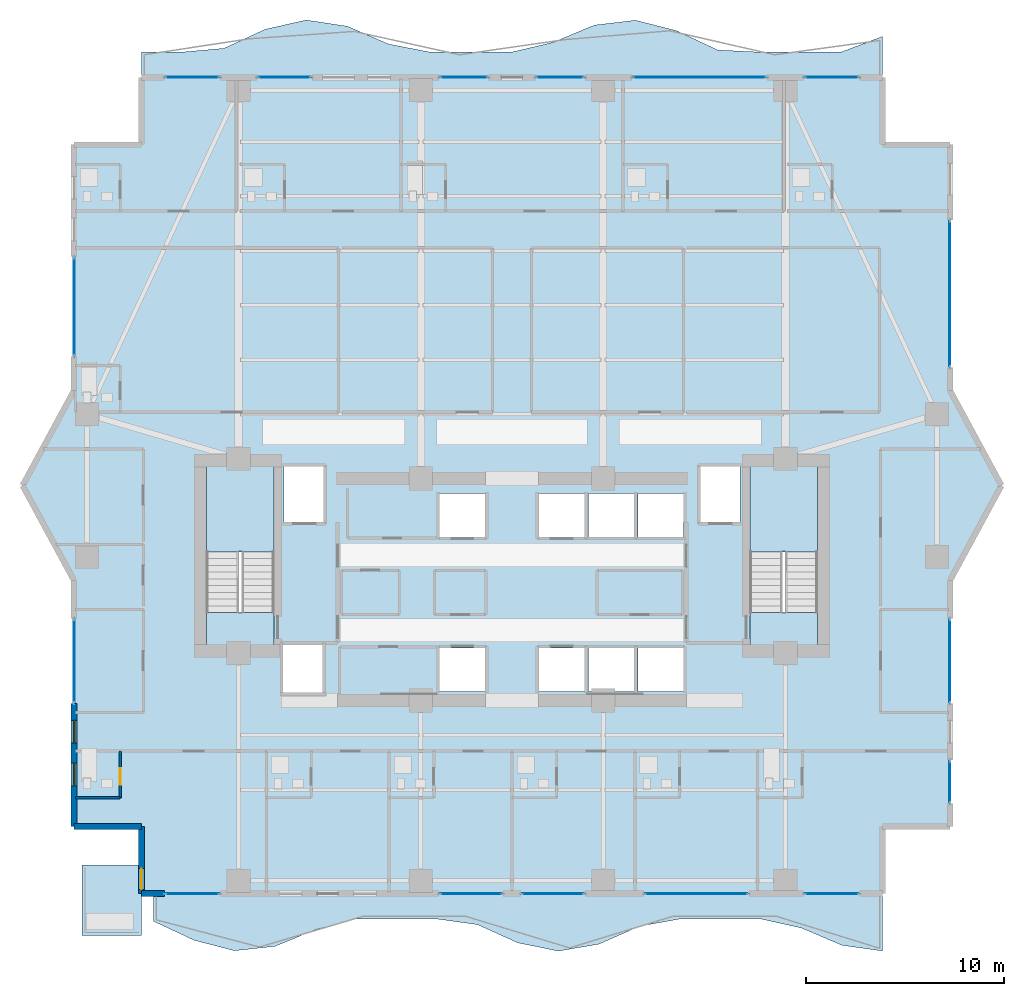
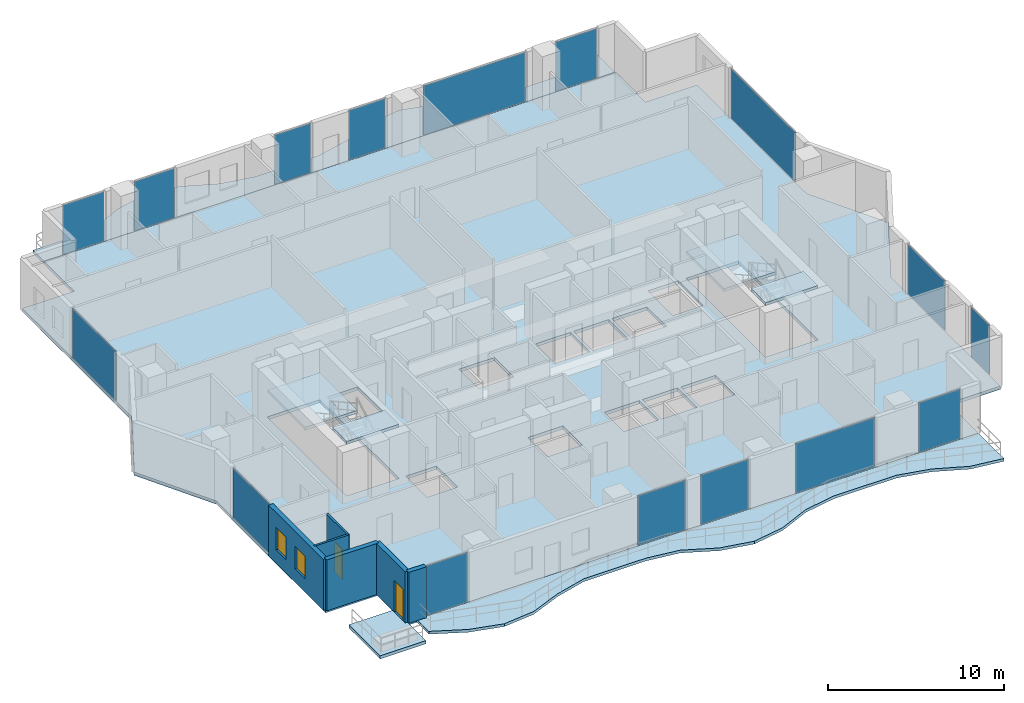
# One storey, part 23 of 32: 16 plates, 8 slabs, 6 walls, 2 doors, 2 windows, 4 openings, 18 elements without a shape of their own.
"""IFC4 building model written with IfcOpenShell, lengths in metres."""

from ifc_helpers import new_model, si_unit, direction, frame, frame_2d, origin, origin_2d, place, context, subcontext, project, spatial, polyline, rectangle, outline, extrude, material, layer, layer_set, type_object, element, fill, aggregate, save


model = new_model("IFC4")

# Units and contexts
model_context = context("Model", 3, precision=1e-05, world=origin(), true_north=direction((0.0, 1.0)))
body_context = subcontext(model_context, "Body", "Model", "MODEL_VIEW")
ifc_project = project(units=[si_unit("LENGTHUNIT", "METRE"), si_unit("AREAUNIT", "SQUARE_METRE"), si_unit("VOLUMEUNIT", "CUBIC_METRE"), si_unit("PLANEANGLEUNIT", "RADIAN"), si_unit("MASSUNIT", "GRAM", prefix="KILO")], contexts=[model_context])

# Site, building, storey
site_placement = place(None, origin())
site = spatial("IfcSite", under=ifc_project, at=site_placement, CompositionType="ELEMENT")
building_placement = place(site_placement, origin())
building = spatial("IfcBuilding", under=site, at=building_placement, Name="Zuhayl Quay Hotel", CompositionType="ELEMENT")
storey_placement = place(building_placement, frame((0.0, 0.0, 196.14990234375)))
storey = spatial("IfcBuildingStorey", under=building, at=storey_placement, Name="L49", CompositionType="ELEMENT", Elevation=196.14990234375)

# Curtain wall, plate
ifc_material_1 = material(Name="Anodised Aluminium 6063-T6", Category="aluminium")
ifc_layer_1 = layer(ifc_material_1, 0.175048828125, Name="Anodised Aluminium 6063-T6", Category="aluminium")
ifc_layer_set_1 = layer_set([ifc_layer_1], Name="Anodised Aluminium 6063-T6")
curtain_wall_type = type_object("IfcCurtainWallType", Name="CW_SYS_Z3", PredefinedType="USERDEFINED", material=ifc_layer_set_1)
curtain_wall_1_placement = place(storey_placement, origin())
curtain_wall_1 = element("IfcCurtainWall", 1, at=curtain_wall_1_placement, inside=storey, type_object=curtain_wall_type, Name="L49 Curtain Wall ENV_L49_E02_CW1", ObjectType="UNITISED CURTAIN WALL", PredefinedType="USERDEFINED")
ifc_material_2 = material(Name="Dark Ceramic-Fritted Solar Glass", Category="glass")
ifc_layer_2 = layer(ifc_material_2, 0.0400390625, Name="Dark Ceramic-Fritted Solar Glass", Category="glass")
ifc_layer_set_2 = layer_set([ifc_layer_2], Name="Dark Ceramic-Fritted Solar Glass")
plate_type = type_object("IfcPlateType", Name="PN_OP_VENT_Z3", PredefinedType="CURTAIN_PANEL", material=ifc_layer_set_2)
plate_1_placement = place(storey_placement, frame((-22.10009765625, 4.14990234375, 0.05517578125), z_axis=(0.0, 0.0, 1.0), x_axis=(0.0, 1.0, 0.0)))
plate_1 = element("IfcPlate", 2, at=plate_1_placement, type_object=plate_type, Name="CW-Z3 panel 1.1", PredefinedType="CURTAIN_PANEL", context=body_context, shape_type="SweptSolid", body=[
    extrude(rectangle(XDim=4.169921875, YDim=0.0400390625, at=origin_2d()), origin(), (0.0, 0.0, 1.0), 3.419921875),
])
aggregate(curtain_wall_1, [plate_1])

curtain_wall_2_placement = place(storey_placement, origin())
curtain_wall_2 = element("IfcCurtainWall", 3, at=curtain_wall_2_placement, inside=storey, type_object=curtain_wall_type, Name="L49 Curtain Wall ENV_L49_E05_CW1", ObjectType="UNITISED CURTAIN WALL", PredefinedType="USERDEFINED")
plate_2_placement = place(storey_placement, frame((-22.10009765625, 22.030029296875, 0.05517578125), z_axis=(0.0, 0.0, 1.0), x_axis=(0.0, 1.0, 0.0)))
plate_2 = element("IfcPlate", 4, at=plate_2_placement, type_object=plate_type, Name="CW-Z3 panel 1.1", PredefinedType="CURTAIN_PANEL", context=body_context, shape_type="SweptSolid", body=[
    extrude(rectangle(XDim=4.909912109375, YDim=0.0400390625, at=origin_2d()), origin(), (0.0, 0.0, 1.0), 3.419921875),
])
aggregate(curtain_wall_2, [plate_2])

curtain_wall_3_placement = place(storey_placement, origin())
curtain_wall_3 = element("IfcCurtainWall", 5, at=curtain_wall_3_placement, inside=storey, type_object=curtain_wall_type, Name="L49 Curtain Wall ENV_L49_N_CW1", ObjectType="UNITISED CURTAIN WALL", PredefinedType="USERDEFINED")
plate_3_placement = place(storey_placement, frame((-16.135009765625, 33.60009765625, 0.05517578125), z_axis=(0.0, 0.0, 1.0), x_axis=(1.0, 0.0, 0.0)))
plate_3 = element("IfcPlate", 6, at=plate_3_placement, type_object=plate_type, Name="CW-Z3 panel 1.1", PredefinedType="CURTAIN_PANEL", context=body_context, shape_type="SweptSolid", body=[
    extrude(rectangle(XDim=2.699951171875, YDim=0.0400390625, at=origin_2d()), origin(), (0.0, 0.0, 1.0), 3.419921875),
])
aggregate(curtain_wall_3, [plate_3])

curtain_wall_4_placement = place(storey_placement, origin())
curtain_wall_4 = element("IfcCurtainWall", 7, at=curtain_wall_4_placement, inside=storey, type_object=curtain_wall_type, Name="L49 Curtain Wall ENV_L49_N_CW2", ObjectType="UNITISED CURTAIN WALL", PredefinedType="USERDEFINED")
plate_4_placement = place(storey_placement, frame((-11.491943359375, 33.60009765625, 0.05517578125), z_axis=(0.0, 0.0, 1.0), x_axis=(1.0, 0.0, 0.0)))
plate_4 = element("IfcPlate", 8, at=plate_4_placement, type_object=plate_type, Name="CW-Z3 panel 1.1", PredefinedType="CURTAIN_PANEL", context=body_context, shape_type="SweptSolid", body=[
    extrude(rectangle(XDim=2.64599609375, YDim=0.0400390625, at=origin_2d()), origin(), (0.0, 0.0, 1.0), 3.419921875),
])
aggregate(curtain_wall_4, [plate_4])

curtain_wall_5_placement = place(storey_placement, origin())
curtain_wall_5 = element("IfcCurtainWall", 9, at=curtain_wall_5_placement, inside=storey, type_object=curtain_wall_type, Name="L49 Curtain Wall ENV_L49_N_CW3", ObjectType="UNITISED CURTAIN WALL", PredefinedType="USERDEFINED")
plate_5_placement = place(storey_placement, frame((-2.427490234375, 33.60009765625, 0.05517578125), z_axis=(0.0, 0.0, 1.0), x_axis=(1.0, 0.0, 0.0)))
plate_5 = element("IfcPlate", 10, at=plate_5_placement, type_object=plate_type, Name="CW-Z3 panel 1.1", PredefinedType="CURTAIN_PANEL", context=body_context, shape_type="SweptSolid", body=[
    extrude(rectangle(XDim=2.375, YDim=0.0400390625, at=origin_2d()), origin(), (0.0, 0.0, 1.0), 3.419921875),
])
aggregate(curtain_wall_5, [plate_5])

curtain_wall_6_placement = place(storey_placement, origin())
curtain_wall_6 = element("IfcCurtainWall", 11, at=curtain_wall_6_placement, inside=storey, type_object=curtain_wall_type, Name="L49 Curtain Wall ENV_L49_N_CW4", ObjectType="UNITISED CURTAIN WALL", PredefinedType="USERDEFINED")
plate_6_placement = place(storey_placement, frame((2.427490234375, 33.60009765625, 0.05517578125), z_axis=(0.0, 0.0, 1.0), x_axis=(1.0, 0.0, 0.0)))
plate_6 = element("IfcPlate", 12, at=plate_6_placement, type_object=plate_type, Name="CW-Z3 panel 1.1", PredefinedType="CURTAIN_PANEL", context=body_context, shape_type="SweptSolid", body=[
    extrude(rectangle(XDim=2.375, YDim=0.0400390625, at=origin_2d()), origin(), (0.0, 0.0, 1.0), 3.419921875),
])
aggregate(curtain_wall_6, [plate_6])

curtain_wall_7_placement = place(storey_placement, origin())
curtain_wall_7 = element("IfcCurtainWall", 13, at=curtain_wall_7_placement, inside=storey, type_object=curtain_wall_type, Name="L49 Curtain Wall ENV_L49_N_CW5", ObjectType="UNITISED CURTAIN WALL", PredefinedType="USERDEFINED")
plate_7_placement = place(storey_placement, frame((9.465087890625, 33.60009765625, 0.05517578125), z_axis=(0.0, 0.0, 1.0), x_axis=(1.0, 0.0, 0.0)))
plate_7 = element("IfcPlate", 14, at=plate_7_placement, type_object=plate_type, Name="CW-Z3 panel 1.1", PredefinedType="CURTAIN_PANEL", context=body_context, shape_type="SweptSolid", body=[
    extrude(rectangle(XDim=6.699951171875, YDim=0.0400390625, at=origin_2d()), origin(), (0.0, 0.0, 1.0), 3.419921875),
])
aggregate(curtain_wall_7, [plate_7])

curtain_wall_8_placement = place(storey_placement, origin())
curtain_wall_8 = element("IfcCurtainWall", 15, at=curtain_wall_8_placement, inside=storey, type_object=curtain_wall_type, Name="L49 Curtain Wall ENV_L49_N_CW6", ObjectType="UNITISED CURTAIN WALL", PredefinedType="USERDEFINED")
plate_8_placement = place(storey_placement, frame((16.135009765625, 33.60009765625, 0.05517578125), z_axis=(0.0, 0.0, 1.0), x_axis=(1.0, 0.0, 0.0)))
plate_8 = element("IfcPlate", 16, at=plate_8_placement, type_object=plate_type, Name="CW-Z3 panel 1.1", PredefinedType="CURTAIN_PANEL", context=body_context, shape_type="SweptSolid", body=[
    extrude(rectangle(XDim=2.699951171875, YDim=0.0400390625, at=origin_2d()), origin(), (0.0, 0.0, 1.0), 3.419921875),
])
aggregate(curtain_wall_8, [plate_8])

curtain_wall_9_placement = place(storey_placement, origin())
curtain_wall_9 = element("IfcCurtainWall", 17, at=curtain_wall_9_placement, inside=storey, type_object=curtain_wall_type, Name="L49 Curtain Wall ENV_L49_E11_CW1", ObjectType="UNITISED CURTAIN WALL", PredefinedType="USERDEFINED")
plate_9_placement = place(storey_placement, frame((22.10009765625, 22.675048828125, 0.05517578125), z_axis=(0.0, 0.0, 1.0), x_axis=(0.0, -1.0, 0.0)))
plate_9 = element("IfcPlate", 18, at=plate_9_placement, type_object=plate_type, Name="CW-Z3 panel 1.1", PredefinedType="CURTAIN_PANEL", context=body_context, shape_type="SweptSolid", body=[
    extrude(rectangle(XDim=7.320068359375, YDim=0.0400390625, at=origin_2d()), origin(), (0.0, 0.0, 1.0), 3.419921875),
])
aggregate(curtain_wall_9, [plate_9])

curtain_wall_10_placement = place(storey_placement, origin())
curtain_wall_10 = element("IfcCurtainWall", 19, at=curtain_wall_10_placement, inside=storey, type_object=curtain_wall_type, Name="L49 Curtain Wall ENV_L49_E14_CW1", ObjectType="UNITISED CURTAIN WALL", PredefinedType="USERDEFINED")
plate_10_placement = place(storey_placement, frame((22.10009765625, 4.14990234375, 0.05517578125), z_axis=(0.0, 0.0, 1.0), x_axis=(0.0, -1.0, 0.0)))
plate_10 = element("IfcPlate", 20, at=plate_10_placement, type_object=plate_type, Name="CW-Z3 panel 1.1", PredefinedType="CURTAIN_PANEL", context=body_context, shape_type="SweptSolid", body=[
    extrude(rectangle(XDim=4.169921875, YDim=0.0400390625, at=origin_2d()), origin(), (0.0, 0.0, 1.0), 3.419921875),
])
aggregate(curtain_wall_10, [plate_10])

curtain_wall_11_placement = place(storey_placement, origin())
curtain_wall_11 = element("IfcCurtainWall", 21, at=curtain_wall_11_placement, inside=storey, type_object=curtain_wall_type, Name="L49 Curtain Wall ENV_L49_E14_CW2", ObjectType="UNITISED CURTAIN WALL", PredefinedType="USERDEFINED")
plate_11_placement = place(storey_placement, frame((22.10009765625, -1.949951171875, 0.05517578125), z_axis=(0.0, 0.0, 1.0), x_axis=(0.0, -1.0, 0.0)))
plate_11 = element("IfcPlate", 22, at=plate_11_placement, type_object=plate_type, Name="CW-Z3 panel 1.1", PredefinedType="CURTAIN_PANEL", context=body_context, shape_type="SweptSolid", body=[
    extrude(rectangle(XDim=2.070068359375, YDim=0.0400390625, at=origin_2d()), origin(), (0.0, 0.0, 1.0), 3.419921875),
])
aggregate(curtain_wall_11, [plate_11])

curtain_wall_12_placement = place(storey_placement, origin())
curtain_wall_12 = element("IfcCurtainWall", 23, at=curtain_wall_12_placement, inside=storey, type_object=curtain_wall_type, Name="L49 Curtain Wall ENV_L49_S_CW1", ObjectType="UNITISED CURTAIN WALL", PredefinedType="USERDEFINED")
plate_12_placement = place(storey_placement, frame((16.135009765625, -7.60009765625, 0.05517578125), z_axis=(0.0, 0.0, 1.0), x_axis=(-1.0, 0.0, 0.0)))
plate_12 = element("IfcPlate", 24, at=plate_12_placement, type_object=plate_type, Name="CW-Z3 panel 1.1", PredefinedType="CURTAIN_PANEL", context=body_context, shape_type="SweptSolid", body=[
    extrude(rectangle(XDim=2.699951171875, YDim=0.0400390625, at=origin_2d()), origin(), (0.0, 0.0, 1.0), 3.419921875),
])
aggregate(curtain_wall_12, [plate_12])

curtain_wall_13_placement = place(storey_placement, origin())
curtain_wall_13 = element("IfcCurtainWall", 25, at=curtain_wall_13_placement, inside=storey, type_object=curtain_wall_type, Name="L49 Curtain Wall ENV_L49_S_CW2", ObjectType="UNITISED CURTAIN WALL", PredefinedType="USERDEFINED")
plate_13_placement = place(storey_placement, frame((9.300048828125, -7.60009765625, 0.05517578125), z_axis=(0.0, 0.0, 1.0), x_axis=(-1.0, 0.0, 0.0)))
plate_13 = element("IfcPlate", 26, at=plate_13_placement, type_object=plate_type, Name="CW-Z3 panel 1.1", PredefinedType="CURTAIN_PANEL", context=body_context, shape_type="SweptSolid", body=[
    extrude(rectangle(XDim=5.169921875, YDim=0.0400390625, at=origin_2d()), origin(), (0.0, 0.0, 1.0), 3.419921875),
])
aggregate(curtain_wall_13, [plate_13])

curtain_wall_14_placement = place(storey_placement, origin())
curtain_wall_14 = element("IfcCurtainWall", 27, at=curtain_wall_14_placement, inside=storey, type_object=curtain_wall_type, Name="L49 Curtain Wall ENV_L49_S_CW3", ObjectType="UNITISED CURTAIN WALL", PredefinedType="USERDEFINED")
plate_14_placement = place(storey_placement, frame((2.06494140625, -7.60009765625, 0.05517578125), z_axis=(0.0, 0.0, 1.0), x_axis=(-1.0, 0.0, 0.0)))
plate_14 = element("IfcPlate", 28, at=plate_14_placement, type_object=plate_type, Name="CW-Z3 panel 1.1", PredefinedType="CURTAIN_PANEL", context=body_context, shape_type="SweptSolid", body=[
    extrude(rectangle(XDim=3.10009765625, YDim=0.0400390625, at=origin_2d()), origin(), (0.0, 0.0, 1.0), 3.419921875),
])
aggregate(curtain_wall_14, [plate_14])

curtain_wall_15_placement = place(storey_placement, origin())
curtain_wall_15 = element("IfcCurtainWall", 29, at=curtain_wall_15_placement, inside=storey, type_object=curtain_wall_type, Name="L49 Curtain Wall ENV_L49_S_CW4", ObjectType="UNITISED CURTAIN WALL", PredefinedType="USERDEFINED")
plate_15_placement = place(storey_placement, frame((-2.06494140625, -7.60009765625, 0.05517578125), z_axis=(0.0, 0.0, 1.0), x_axis=(-1.0, 0.0, 0.0)))
plate_15 = element("IfcPlate", 30, at=plate_15_placement, type_object=plate_type, Name="CW-Z3 panel 1.1", PredefinedType="CURTAIN_PANEL", context=body_context, shape_type="SweptSolid", body=[
    extrude(rectangle(XDim=3.10009765625, YDim=0.0400390625, at=origin_2d()), origin(), (0.0, 0.0, 1.0), 3.419921875),
])
aggregate(curtain_wall_15, [plate_15])

curtain_wall_16_placement = place(storey_placement, origin())
curtain_wall_16 = element("IfcCurtainWall", 31, at=curtain_wall_16_placement, inside=storey, type_object=curtain_wall_type, Name="L49 Curtain Wall ENV_L49_S_CW5", ObjectType="UNITISED CURTAIN WALL", PredefinedType="USERDEFINED")
plate_16_placement = place(storey_placement, frame((-16.135009765625, -7.60009765625, 0.05517578125), z_axis=(0.0, 0.0, 1.0), x_axis=(-1.0, 0.0, 0.0)))
plate_16 = element("IfcPlate", 32, at=plate_16_placement, type_object=plate_type, Name="CW-Z3 panel 1.1", PredefinedType="CURTAIN_PANEL", context=body_context, shape_type="SweptSolid", body=[
    extrude(rectangle(XDim=2.699951171875, YDim=0.0400390625, at=origin_2d()), origin(), (0.0, 0.0, 1.0), 3.419921875),
])
aggregate(curtain_wall_16, [plate_16])

# Slabs
ifc_material_3 = material(Name="Concrete C45/55", Category="concrete")
ifc_layer_3 = layer(ifc_material_3, 0.195068359375, Name="Concrete C45/55", Category="concrete")
ifc_layer_set_3 = layer_set([ifc_layer_3], Name="Concrete C45/55")
slab_type_1 = type_object("IfcSlabType", Name="SL_BALCONY_195", PredefinedType="FLOOR", material=ifc_layer_set_3)
slab_1_placement = place(storey_placement, frame((0.0, 0.0, -0.19482421875)))
element("IfcSlab", 33, at=slab_1_placement, inside=storey, type_object=slab_type_1, Name="L49 Exterior Rippling Balcony Slab North", PredefinedType="FLOOR", context=body_context, shape_type="SweptSolid", body=[
    extrude(outline(polyline([(-18.699951171875, 33.60009765625), (18.699951171875, 33.60009765625), (18.699951171875, 35.667236328125), (16.622314453125, 34.8798828125), (14.54443359375, 34.8798828125), (12.466796875, 34.8798828125), (10.388916015625, 34.9794921875), (8.31103515625, 35.95361328125), (6.2333984375, 36.484619140625), (4.155517578125, 36.23828125), (2.077880859375, 35.369873046875), (0.0, 34.8798828125), (-2.077880859375, 34.8798828125), (-4.155517578125, 34.8798828125), (-6.2333984375, 35.28271484375), (-8.31103515625, 36.1826171875), (-10.388916015625, 36.4951171875), (-12.466796875, 36.02392578125), (-14.54443359375, 35.065185546875), (-16.622314453125, 34.8798828125), (-18.699951171875, 34.8798828125), (-18.699951171875, 33.60009765625)])), origin(), (0.0, 0.0, 1.0), 0.19482421875),
])
slab_2_placement = place(storey_placement, frame((0.0, 0.0, -0.19482421875)))
element("IfcSlab", 34, at=slab_2_placement, inside=storey, type_object=slab_type_1, Name="L49 Exterior Rippling Balcony Slab South", PredefinedType="FLOOR", context=body_context, shape_type="SweptSolid", body=[
    extrude(outline(polyline([(-18.10009765625, -8.989990234375), (-16.0556640625, -9.948974609375), (-14.010986328125, -10.48095703125), (-11.966796875, -10.26123046875), (-9.922119140625, -9.424072265625), (-7.877685546875, -8.8798828125), (-5.833251953125, -8.8798828125), (-3.788818359375, -8.8798828125), (-1.744384765625, -9.162841796875), (0.300048828125, -10.08642578125), (2.344482421875, -10.499267578125), (4.388916015625, -10.149169921875), (6.433349609375, -9.25), (8.477783203125, -8.8798828125), (10.522216796875, -8.8798828125), (12.566650390625, -8.8798828125), (14.611083984375, -9.337158203125), (16.655517578125, -10.20751953125), (18.699951171875, -10.4931640625), (18.699951171875, -7.60009765625), (-18.10009765625, -7.60009765625), (-18.10009765625, -8.989990234375)])), origin(), (0.0, 0.0, 1.0), 0.19482421875),
])
ifc_layer_4 = layer(ifc_material_3, 0.219970703125, Name="Concrete C45/55", Category="concrete")
ifc_layer_set_4 = layer_set([ifc_layer_4], Name="Concrete C45/55")
slab_type_2 = type_object("IfcSlabType", Name="SL_FLOOR_220", PredefinedType="FLOOR", material=ifc_layer_set_4)
slab_3_placement = place(storey_placement, frame((0.0, 0.0, -0.219970703125)))
element("IfcSlab", 35, at=slab_3_placement, inside=storey, type_object=slab_type_2, Name="L49 Structural Floor Slab", PredefinedType="FLOOR", context=body_context, shape_type="SweptSolid", body=[
    extrude(outline(polyline([(-18.699951171875, -7.60009765625), (18.699951171875, -7.60009765625), (18.699951171875, -4.199951171875), (22.10009765625, -4.199951171875), (22.10009765625, 8.199951171875), (24.699951171875, 13.0), (22.10009765625, 17.800048828125), (22.10009765625, 30.199951171875), (18.699951171875, 30.199951171875), (18.699951171875, 33.60009765625), (-18.699951171875, 33.60009765625), (-18.699951171875, 30.199951171875), (-22.10009765625, 30.199951171875), (-22.10009765625, 17.800048828125), (-24.699951171875, 13.0), (-22.10009765625, 8.199951171875), (-22.10009765625, -4.199951171875), (-18.699951171875, -4.199951171875), (-18.699951171875, -7.60009765625)]), holes=[polyline([(-12.0, 4.949951171875), (-12.0, 13.949951171875), (-15.429931640625, 13.949951171875), (-15.429931640625, 4.949951171875), (-12.0, 4.949951171875)]), polyline([(15.429931640625, 4.949951171875), (15.429931640625, 13.949951171875), (12.0, 13.949951171875), (12.0, 4.949951171875), (15.429931640625, 4.949951171875)]), polyline([(-11.5, 11.14990234375), (-9.5, 11.14990234375), (-9.5, 13.949951171875), (-11.5, 13.949951171875), (-11.5, 11.14990234375)]), polyline([(9.5, 11.14990234375), (11.5, 11.14990234375), (11.5, 13.949951171875), (9.5, 13.949951171875), (9.5, 11.14990234375)]), polyline([(-3.64990234375, 2.60009765625), (-1.35009765625, 2.60009765625), (-1.35009765625, 4.800048828125), (-3.64990234375, 4.800048828125), (-3.64990234375, 2.60009765625)]), polyline([(1.35009765625, 2.60009765625), (3.64990234375, 2.60009765625), (3.64990234375, 4.800048828125), (1.35009765625, 4.800048828125), (1.35009765625, 2.60009765625)]), polyline([(-3.64990234375, 10.39990234375), (-1.35009765625, 10.39990234375), (-1.35009765625, 12.60009765625), (-3.64990234375, 12.60009765625), (-3.64990234375, 10.39990234375)]), polyline([(1.35009765625, 10.39990234375), (3.64990234375, 10.39990234375), (3.64990234375, 12.60009765625), (1.35009765625, 12.60009765625), (1.35009765625, 10.39990234375)]), polyline([(3.85009765625, 2.60009765625), (6.14990234375, 2.60009765625), (6.14990234375, 4.800048828125), (3.85009765625, 4.800048828125), (3.85009765625, 2.60009765625)]), polyline([(6.35009765625, 2.60009765625), (8.64990234375, 2.60009765625), (8.64990234375, 4.800048828125), (6.35009765625, 4.800048828125), (6.35009765625, 2.60009765625)]), polyline([(3.85009765625, 10.39990234375), (6.14990234375, 10.39990234375), (6.14990234375, 12.60009765625), (3.85009765625, 12.60009765625), (3.85009765625, 10.39990234375)]), polyline([(6.35009765625, 10.39990234375), (8.64990234375, 10.39990234375), (8.64990234375, 12.60009765625), (6.35009765625, 12.60009765625), (6.35009765625, 10.39990234375)]), polyline([(-11.550048828125, 2.550048828125), (-9.550048828125, 2.550048828125), (-9.550048828125, 4.949951171875), (-11.550048828125, 4.949951171875), (-11.550048828125, 2.550048828125)])]), origin(), (0.0, 0.0, 1.0), 0.219970703125),
])

# Stair, slabs
stair_type = type_object("IfcStairType", Name="ST_DOGLEG_TOWER", PredefinedType="HALF_TURN_STAIR", material=ifc_material_3)
stair_1_placement = place(storey_placement, origin())
stair_1 = element("IfcStair", 36, at=stair_1_placement, inside=storey, type_object=stair_type, Name="L49 Smokeproof Exit Stair ST1", PredefinedType="HALF_TURN_STAIR")
ifc_layer_5 = layer(ifc_material_3, 0.199951171875, Name="Concrete C45/55", Category="concrete")
ifc_layer_set_5 = layer_set([ifc_layer_5], Name="Concrete C45/55")
slab_type_3 = type_object("IfcSlabType", Name="SL_STAIR_LANDING_200", PredefinedType="LANDING", material=ifc_layer_set_5)
slab_4_placement = place(storey_placement, frame((0.0, 0.0, 1.675048828125)))
slab_4 = element("IfcSlab", 37, at=slab_4_placement, type_object=slab_type_3, Name="ST1 landing 1", PredefinedType="LANDING", context=body_context, shape_type="SweptSolid", body=[
    extrude(outline(polyline([(-12.0, 9.64990234375), (-12.0, 13.949951171875), (-15.429931640625, 13.949951171875), (-15.429931640625, 9.64990234375), (-12.0, 9.64990234375)])), origin(), (0.0, 0.0, 1.0), 0.199951171875),
])
slab_5_placement = place(storey_placement, frame((0.0, 0.0, 3.550048828125)))
slab_5 = element("IfcSlab", 38, at=slab_5_placement, type_object=slab_type_3, Name="ST1 landing 2", PredefinedType="LANDING", context=body_context, shape_type="SweptSolid", body=[
    extrude(outline(polyline([(-12.0, 4.949951171875), (-12.0, 6.590087890625), (-15.429931640625, 6.590087890625), (-15.429931640625, 4.949951171875), (-12.0, 4.949951171875)])), origin(), (0.0, 0.0, 1.0), 0.199951171875),
])
aggregate(stair_1, [slab_4, slab_5])

stair_2_placement = place(storey_placement, origin())
stair_2 = element("IfcStair", 39, at=stair_2_placement, inside=storey, type_object=stair_type, Name="L49 Smokeproof Exit Stair ST2", PredefinedType="HALF_TURN_STAIR")
slab_6_placement = place(storey_placement, frame((0.0, 0.0, 1.675048828125)))
slab_6 = element("IfcSlab", 40, at=slab_6_placement, type_object=slab_type_3, Name="ST2 landing 1", PredefinedType="LANDING", context=body_context, shape_type="SweptSolid", body=[
    extrude(outline(polyline([(15.429931640625, 9.64990234375), (15.429931640625, 13.949951171875), (12.0, 13.949951171875), (12.0, 9.64990234375), (15.429931640625, 9.64990234375)])), origin(), (0.0, 0.0, 1.0), 0.199951171875),
])
slab_7_placement = place(storey_placement, frame((0.0, 0.0, 3.550048828125)))
slab_7 = element("IfcSlab", 41, at=slab_7_placement, type_object=slab_type_3, Name="ST2 landing 2", PredefinedType="LANDING", context=body_context, shape_type="SweptSolid", body=[
    extrude(outline(polyline([(15.429931640625, 4.949951171875), (15.429931640625, 6.590087890625), (12.0, 6.590087890625), (12.0, 4.949951171875), (15.429931640625, 4.949951171875)])), origin(), (0.0, 0.0, 1.0), 0.199951171875),
])
aggregate(stair_2, [slab_6, slab_7])

# Slab
ifc_layer_6 = layer(ifc_material_3, 0.219970703125, Name="Concrete C45/55", Category="concrete")
ifc_layer_set_6 = layer_set([ifc_layer_6], Name="Concrete C45/55")
slab_type_4 = type_object("IfcSlabType", Name="SL_TERRACE_235", PredefinedType="FLOOR", material=ifc_layer_set_6)
slab_8_placement = place(storey_placement, frame((0.0, 0.0, -0.219970703125)))
element("IfcSlab", 42, at=slab_8_placement, inside=storey, type_object=slab_type_4, Name="L49 Exterior Sky-Terrace Slab L49_SPIRAL_SW", PredefinedType="FLOOR", context=body_context, shape_type="SweptSolid", body=[
    extrude(outline(polyline([(-21.699951171875, -9.699951171875), (-18.699951171875, -9.699951171875), (-18.699951171875, -6.14990234375), (-21.699951171875, -6.14990234375), (-21.699951171875, -9.699951171875)])), origin(), (0.0, 0.0, 1.0), 0.219970703125),
])

# Wall
ifc_material_4 = material(Name="Precast concrete C45/55", Category="concrete")
ifc_layer_7 = layer(ifc_material_4, 0.300048828125, Name="Precast concrete C45/55", Category="concrete")
ifc_layer_set_7 = layer_set([ifc_layer_7], Name="Precast concrete C45/55")
wall_type_1 = type_object("IfcWallType", Name="WL_EXT_300", PredefinedType="STANDARD", material=ifc_layer_set_7)
wall_1_placement = place(storey_placement, frame((-18.699951171875, -4.199951171875, 0.0), z_axis=(0.0, 0.0, 1.0), x_axis=(-1.0, 0.0, 0.0)))
element("IfcWall", 43, at=wall_1_placement, inside=storey, type_object=wall_type_1, Name="L49 Exterior Precast Wall ENV_L49_EW01", PredefinedType="STANDARD", context=body_context, shape_type="SweptSolid", body=[
    extrude(rectangle(XDim=3.400146484375, YDim=0.300048828125, at=frame_2d((1.7001953125, 0.0))), origin(), (0.0, 0.0, 1.0), 3.530029296875),
])

# Wall, openings, windows
wall_2_placement = place(storey_placement, frame((-22.10009765625, -4.199951171875, 0.0), z_axis=(0.0, 0.0, 1.0), x_axis=(0.0, 1.0, 0.0)))
wall_2 = element("IfcWall", 44, at=wall_2_placement, inside=storey, type_object=wall_type_1, Name="L49 Exterior Precast Wall ENV_L49_E02_EW1", PredefinedType="STANDARD", context=body_context, shape_type="SweptSolid", body=[
    extrude(rectangle(XDim=6.199951171875, YDim=0.300048828125, at=frame_2d((3.10009765625, 0.0))), origin(), (0.0, 0.0, 1.0), 3.530029296875),
])
opening_1_placement = place(wall_2_placement, frame((2.044921875, 0.0, 0.949951171875)))
opening_1 = element("IfcOpeningElement", 45, at=opening_1_placement, cuts=wall_2, Name="Opening W01N", PredefinedType="OPENING", context=body_context, shape_type="SweptSolid", body=[
    extrude(rectangle(XDim=1.14990234375, YDim=1.550048828125, at=frame_2d((0.574951171875, 0.77490234375))), frame((0.0, 0.159912109375, 0.0), z_axis=(0.0, -1.0, 0.0), x_axis=(1.0, 0.0, 0.0)), (0.0, 0.0, 1.0), 0.320068359375),
])
opening_2_placement = place(wall_2_placement, frame((4.199951171875, 0.0, 0.949951171875)))
opening_2 = element("IfcOpeningElement", 46, at=opening_2_placement, cuts=wall_2, Name="Opening W01N", PredefinedType="OPENING", context=body_context, shape_type="SweptSolid", body=[
    extrude(rectangle(XDim=1.14990234375, YDim=1.550048828125, at=frame_2d((0.574951171875, 0.77490234375))), frame((0.0, 0.159912109375, 0.0), z_axis=(0.0, -1.0, 0.0), x_axis=(1.0, 0.0, 0.0)), (0.0, 0.0, 1.0), 0.320068359375),
])
window_type = type_object("IfcWindowType", Name="WN_NOTCH_1350", PartitioningType="SINGLE_PANEL", PredefinedType="WINDOW", material=ifc_material_2)
window_1_placement = place(opening_1_placement, origin())
window_1 = element("IfcWindow", 47, at=window_1_placement, inside=storey, type_object=window_type, Name="L49 Operable Facade Window 1-1", OverallHeight=1.550048828125, OverallWidth=1.14990234375, PartitioningType="SINGLE_PANEL", PredefinedType="WINDOW", context=body_context, shape_type="SweptSolid", body=[
    extrude(rectangle(XDim=1.14990234375, YDim=1.550048828125, at=frame_2d((0.574951171875, 0.77490234375))), frame((0.0, 0.030029296875, 0.0), z_axis=(0.0, -1.0, 0.0), x_axis=(1.0, 0.0, 0.0)), (0.0, 0.0, 1.0), 0.06005859375),
])
fill(opening_1, window_1)
window_2_placement = place(opening_2_placement, origin())
window_2 = element("IfcWindow", 48, at=window_2_placement, inside=storey, type_object=window_type, Name="L49 Operable Facade Window 1-2", OverallHeight=1.550048828125, OverallWidth=1.14990234375, PartitioningType="SINGLE_PANEL", PredefinedType="WINDOW", context=body_context, shape_type="SweptSolid", body=[
    extrude(rectangle(XDim=1.14990234375, YDim=1.550048828125, at=frame_2d((0.574951171875, 0.77490234375))), frame((0.0, 0.030029296875, 0.0), z_axis=(0.0, -1.0, 0.0), x_axis=(1.0, 0.0, 0.0)), (0.0, 0.0, 1.0), 0.06005859375),
])
fill(opening_2, window_2)

# Wall
wall_3_placement = place(storey_placement, frame((-17.550048828125, -7.60009765625, 0.0), z_axis=(0.0, 0.0, 1.0), x_axis=(-1.0, 0.0, 0.0)))
element("IfcWall", 49, at=wall_3_placement, inside=storey, type_object=wall_type_1, Name="L49 Exterior Precast Wall ENV_L49_S_EW6", PredefinedType="STANDARD", context=body_context, shape_type="SweptSolid", body=[
    extrude(rectangle(XDim=1.14990234375, YDim=0.300048828125, at=frame_2d((0.574951171875, 0.0))), origin(), (0.0, 0.0, 1.0), 3.530029296875),
])

# Wall, opening, door
wall_4_placement = place(storey_placement, frame((-18.699951171875, -7.60009765625, 0.0), z_axis=(0.0, 0.0, 1.0), x_axis=(0.0, 1.0, 0.0)))
wall_4 = element("IfcWall", 50, at=wall_4_placement, inside=storey, type_object=wall_type_1, Name="L49 Exterior Precast Wall ENV_L49_SP_SW", PredefinedType="STANDARD", context=body_context, shape_type="SweptSolid", body=[
    extrude(rectangle(XDim=3.400146484375, YDim=0.300048828125, at=frame_2d((1.7001953125, 0.0))), origin(), (0.0, 0.0, 1.0), 3.530029296875),
])
opening_3_placement = place(wall_4_placement, frame((0.219970703125, 0.0, 0.0)))
opening_3 = element("IfcOpeningElement", 51, at=opening_3_placement, cuts=wall_4, Name="Opening DG1", PredefinedType="OPENING", context=body_context, shape_type="SweptSolid", body=[
    extrude(rectangle(XDim=1.050048828125, YDim=2.199951171875, at=frame_2d((0.52490234375, 1.10009765625))), frame((0.0, 0.159912109375, 0.0), z_axis=(0.0, -1.0, 0.0), x_axis=(1.0, 0.0, 0.0)), (0.0, 0.0, 1.0), 0.320068359375),
])
ifc_material_5 = material(Name="Anodised Aluminium and Dark Solar Glass", Category="aluminium")
door_type_1 = type_object("IfcDoorType", Name="DR_EXT_TERR_1050", OperationType="NOTDEFINED", PredefinedType="DOOR", material=ifc_material_5)
door_1_placement = place(opening_3_placement, origin())
door_1 = element("IfcDoor", 52, at=door_1_placement, inside=storey, type_object=door_type_1, Name="L49 Spiral Sky-Terrace SW Access Door", OperationType="SINGLE_SWING_LEFT", OverallHeight=2.199951171875, OverallWidth=1.050048828125, PredefinedType="DOOR", context=body_context, shape_type="SweptSolid", body=[
    extrude(rectangle(XDim=1.050048828125, YDim=2.199951171875, at=frame_2d((0.52490234375, 1.10009765625))), frame((0.0, 0.02490234375, 0.0), z_axis=(0.0, -1.0, 0.0), x_axis=(1.0, 0.0, 0.0)), (0.0, 0.0, 1.0), 0.050048828125),
])
fill(opening_3, door_1)

ifc_material_6 = material(Name="Moisture-Resistant Sanitarychase Gypsum")
ifc_layer_8 = layer(ifc_material_6, 0.135009765625, Name="Moisture-Resistant Sanitarychase Gypsum")
ifc_layer_set_8 = layer_set([ifc_layer_8], Name="Moisture-Resistant Sanitarychase Gypsum")
wall_type_2 = type_object("IfcWallType", Name="WL_PART_PLUMB_150", PredefinedType="PLUMBINGWALL", material=ifc_layer_set_8)
wall_5_placement = place(storey_placement, frame((-19.780029296875, -2.760009765625, 0.0), z_axis=(0.0, 0.0, 1.0), x_axis=(0.0, 1.0, 0.0)))
wall_5 = element("IfcWall", 53, at=wall_5_placement, inside=storey, type_object=wall_type_2, Name="L49 Partition IW_L49_SU01_BE", PredefinedType="PLUMBINGWALL", context=body_context, shape_type="SweptSolid", body=[
    extrude(rectangle(XDim=2.360107421875, YDim=0.135009765625, at=frame_2d((1.18017578125, 0.0))), origin(), (0.0, 0.0, 1.0), 3.530029296875),
])
opening_4_placement = place(wall_5_placement, frame((0.64990234375, 0.0, 0.0)))
opening_4 = element("IfcOpeningElement", 54, at=opening_4_placement, cuts=wall_5, Name="Opening D04", PredefinedType="OPENING", context=body_context, shape_type="SweptSolid", body=[
    extrude(rectangle(XDim=0.85009765625, YDim=2.10009765625, at=frame_2d((0.425048828125, 1.050048828125))), frame((0.0, 0.077392578125, 0.0), z_axis=(0.0, -1.0, 0.0), x_axis=(1.0, 0.0, 0.0)), (0.0, 0.0, 1.0), 0.155029296875),
])
ifc_material_7 = material(Name="Moisture-Resistant Walnut Veneer")
door_type_2 = type_object("IfcDoorType", Name="DR_BATH_850", OperationType="NOTDEFINED", PredefinedType="DOOR", material=ifc_material_7)
door_2_placement = place(opening_4_placement, origin())
door_2 = element("IfcDoor", 55, at=door_2_placement, inside=storey, type_object=door_type_2, Name="L49 Premier Twin Guest Room L49-01 En-Suite Door", OperationType="SINGLE_SWING_LEFT", OverallHeight=2.10009765625, OverallWidth=0.85009765625, PredefinedType="DOOR", context=body_context, shape_type="SweptSolid", body=[
    extrude(rectangle(XDim=0.85009765625, YDim=2.10009765625, at=frame_2d((0.425048828125, 1.050048828125))), frame((0.0, 0.02490234375, 0.0), z_axis=(0.0, -1.0, 0.0), x_axis=(1.0, 0.0, 0.0)), (0.0, 0.0, 1.0), 0.050048828125),
])
fill(opening_4, door_2)

# Wall
wall_6_placement = place(storey_placement, frame((-22.0400390625, -2.760009765625, 0.0), z_axis=(0.0, 0.0, 1.0), x_axis=(1.0, 0.0, 0.0)))
element("IfcWall", 56, at=wall_6_placement, inside=storey, type_object=wall_type_2, Name="L49 Partition IW_L49_SU01_BS", PredefinedType="PLUMBINGWALL", context=body_context, shape_type="SweptSolid", body=[
    extrude(rectangle(XDim=2.260009765625, YDim=0.135009765625, at=frame_2d((1.1298828125, 0.0))), origin(), (0.0, 0.0, 1.0), 3.530029296875),
])

save(model, "model.ifc")
